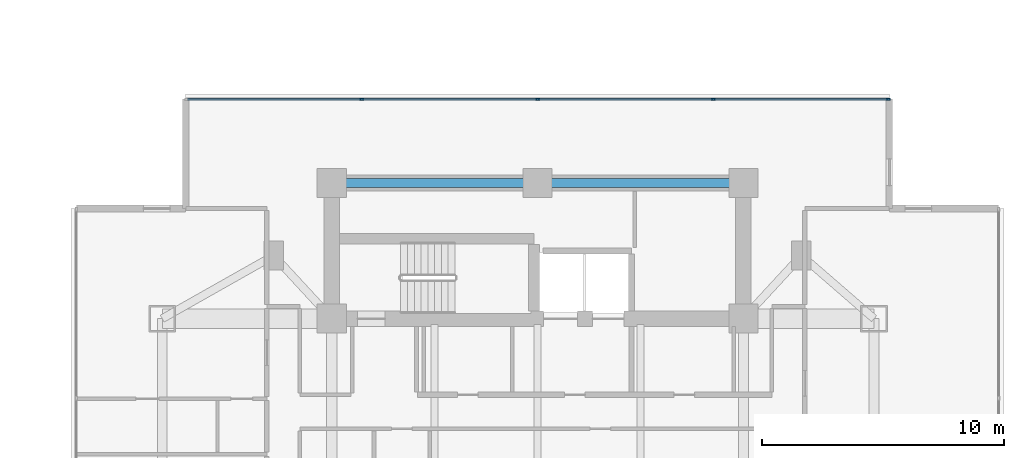
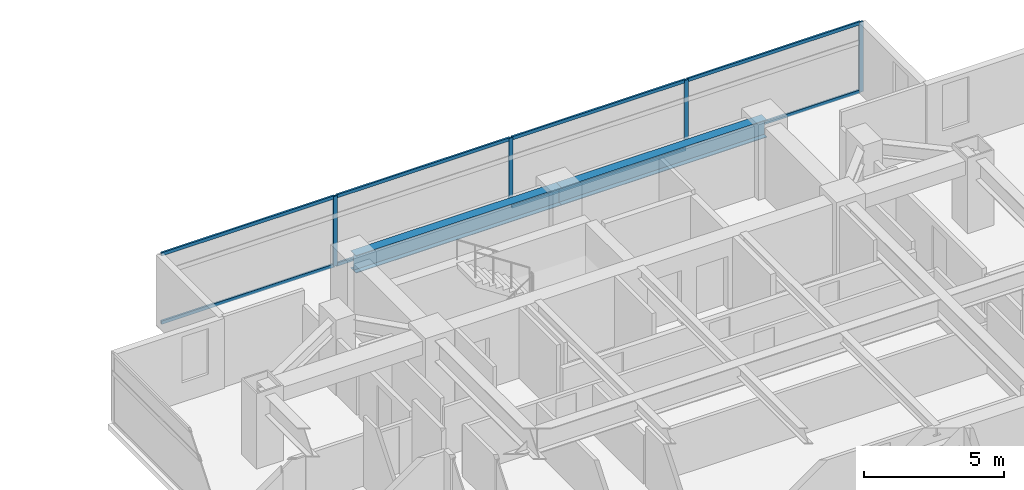
# One storey, part 12 of 26: 12 members, 2 beams, 1 element without a shape of its own.
"""IFC4 building model written with IfcOpenShell, lengths in metres."""

from ifc_helpers import new_model, si_unit, direction, frame, origin, origin_2d, place, context, subcontext, project, spatial, rectangle, i_section, extrude, material, material_profile, profile_set, type_object, element, aggregate, save


model = new_model("IFC4")

# Units and contexts
model_context = context("Model", 3, precision=1e-05, world=origin(), true_north=direction((0.0, 1.0)))
body_context = subcontext(model_context, "Body", "Model", "MODEL_VIEW")
ifc_project = project(units=[si_unit("LENGTHUNIT", "METRE"), si_unit("AREAUNIT", "SQUARE_METRE"), si_unit("VOLUMEUNIT", "CUBIC_METRE"), si_unit("PLANEANGLEUNIT", "RADIAN"), si_unit("MASSUNIT", "GRAM", prefix="KILO")], contexts=[model_context])

# Site, building, storey
site_placement = place(None, origin())
site = spatial("IfcSite", under=ifc_project, at=site_placement, CompositionType="ELEMENT")
building_placement = place(site_placement, origin())
building = spatial("IfcBuilding", under=site, at=building_placement, Name="Mirazonda Arch Towers", CompositionType="ELEMENT")
storey_placement = place(building_placement, frame((0.0, 0.0, 114.800048828125)))
storey = spatial("IfcBuildingStorey", under=building, at=storey_placement, Name="L32", CompositionType="ELEMENT", Elevation=114.800048828125)

# Beams
ifc_material_1 = material(Name="Steel ASTM A992 Grade 50", Category="steel")
ifc_material_profile_1 = material_profile(ifc_material_1, i_section(OverallWidth=0.381103515625, OverallDepth=0.77294921875, WebThickness=0.0166015625, FlangeThickness=0.027099609375, at=origin_2d()), Name="W30X173")
ifc_profile_set_1 = profile_set([ifc_material_profile_1], Name="Steel ASTM A992 Grade 50")
beam_type = type_object("IfcBeamType", Name="BM-INT-W30X173", PredefinedType="USERDEFINED", material=ifc_profile_set_1)
for number, where, z_axis, x_axis, name in (
    (1, (68.0, 40.800048828125, 2.693359375), (1.0, 0.0, 0.0), (0.0, 1.0, 0.0), "L32 Floor Beam BM-T2-L32-CN1"),
    (2, (76.5, 40.800048828125, 2.693359375), (1.0, 0.0, 0.0), (0.0, 1.0, 0.0), "L32 Floor Beam BM-T2-L32-CN2"),
):
    element("IfcBeam", number, at=place(storey_placement, frame(where, z_axis=z_axis, x_axis=x_axis)), inside=storey, type_object=beam_type, Name=name, ObjectType="GIRDER", PredefinedType="USERDEFINED", context=body_context, shape_type="SweptSolid", body=[
        extrude(i_section(OverallWidth=0.381103515625, OverallDepth=0.77294921875, WebThickness=0.0166015625, FlangeThickness=0.027099609375, at=origin_2d()), origin(), (0.0, 0.0, 1.0), 8.5),
    ])

# Curtain wall, members
ifc_material_2 = material(Name="Anodised Aluminium and Low-E Glass", Category="aluminium")
curtain_wall_type = type_object("IfcCurtainWallType", Name="CW-HTL-UNIT", PredefinedType="NOTDEFINED", material=ifc_material_2)
curtain_wall_placement = place(storey_placement, origin())
curtain_wall = element("IfcCurtainWall", 3, at=curtain_wall_placement, inside=storey, type_object=curtain_wall_type, Name="L32 T2 N Facade CW-L32-T2-N", PredefinedType="NOTDEFINED")
ifc_material_3 = material(Name="Anodised Aluminium Alloy", Category="aluminium")
ifc_material_profile_2 = material_profile(ifc_material_3, rectangle(XDim=0.074951171875, YDim=0.1650390625, at=origin_2d()), Name="ALU-MULL-75x165")
ifc_profile_set_2 = profile_set([ifc_material_profile_2], Name="Anodised Aluminium Alloy")
member_type_1 = type_object("IfcMemberType", Name="MULL-CW-HTL-UNIT", PredefinedType="MULLION", material=ifc_profile_set_2)
member_1_placement = place(storey_placement, frame((69.23486328125, 44.263916015625, 0.0), z_axis=(0.0, 0.0, 1.0), x_axis=(0.0, 1.0, 0.0)))
member_1 = element("IfcMember", 4, at=member_1_placement, type_object=member_type_1, Name="CW-112 mullion 2", PredefinedType="MULLION", context=body_context, shape_type="SweptSolid", body=[
    extrude(rectangle(XDim=0.074951171875, YDim=0.1650390625, at=origin_2d()), origin(), (0.0, 0.0, 1.0), 3.06005859375),
])
member_2_placement = place(storey_placement, frame((76.5, 44.263916015625, 0.0), z_axis=(0.0, 0.0, 1.0), x_axis=(0.0, 1.0, 0.0)))
member_2 = element("IfcMember", 5, at=member_2_placement, type_object=member_type_1, Name="CW-112 mullion 3", PredefinedType="MULLION", context=body_context, shape_type="SweptSolid", body=[
    extrude(rectangle(XDim=0.074951171875, YDim=0.1650390625, at=origin_2d()), origin(), (0.0, 0.0, 1.0), 3.06005859375),
])
member_3_placement = place(storey_placement, frame((83.76513671875, 44.263916015625, 0.0), z_axis=(0.0, 0.0, 1.0), x_axis=(0.0, 1.0, 0.0)))
member_3 = element("IfcMember", 6, at=member_3_placement, type_object=member_type_1, Name="CW-112 mullion 4", PredefinedType="MULLION", context=body_context, shape_type="SweptSolid", body=[
    extrude(rectangle(XDim=0.074951171875, YDim=0.1650390625, at=origin_2d()), origin(), (0.0, 0.0, 1.0), 3.06005859375),
])
member_4_placement = place(storey_placement, frame((90.99267578125, 44.263916015625, 0.0), z_axis=(0.0, 0.0, 1.0), x_axis=(0.0, 1.0, 0.0)))
member_4 = element("IfcMember", 7, at=member_4_placement, type_object=member_type_1, Name="CW-112 mullion 5", PredefinedType="MULLION", context=body_context, shape_type="SweptSolid", body=[
    extrude(rectangle(XDim=0.074951171875, YDim=0.1650390625, at=origin_2d()), origin(), (0.0, 0.0, 1.0), 3.06005859375),
])
ifc_material_profile_3 = material_profile(ifc_material_3, rectangle(XDim=0.074951171875, YDim=0.14501953125, at=origin_2d()), Name="ALU-TRAN-75x145")
ifc_profile_set_3 = profile_set([ifc_material_profile_3], Name="Anodised Aluminium Alloy")
member_type_2 = type_object("IfcMemberType", Name="TRAN-CW-HTL-UNIT", PredefinedType="USERDEFINED", material=ifc_profile_set_3)
member_5_placement = place(storey_placement, frame((62.044921875, 44.263916015625, 0.037353515625), z_axis=(1.0, 0.0, 0.0), x_axis=(0.0, 1.0, 0.0)))
member_5 = element("IfcMember", 8, at=member_5_placement, type_object=member_type_2, Name="CW-112 transom 1.1", ObjectType="TRANSOM", PredefinedType="USERDEFINED", context=body_context, shape_type="SweptSolid", body=[
    extrude(rectangle(XDim=0.074951171875, YDim=0.14501953125, at=origin_2d()), origin(), (0.0, 0.0, 1.0), 7.152587890625),
])
member_6_placement = place(storey_placement, frame((62.044921875, 44.263916015625, 3.0224609375), z_axis=(1.0, 0.0, 0.0), x_axis=(0.0, 1.0, 0.0)))
member_6 = element("IfcMember", 9, at=member_6_placement, type_object=member_type_2, Name="CW-112 transom 1.2", ObjectType="TRANSOM", PredefinedType="USERDEFINED", context=body_context, shape_type="SweptSolid", body=[
    extrude(rectangle(XDim=0.074951171875, YDim=0.14501953125, at=origin_2d()), origin(), (0.0, 0.0, 1.0), 7.152587890625),
])
member_7_placement = place(storey_placement, frame((69.2724609375, 44.263916015625, 0.037353515625), z_axis=(1.0, 0.0, 0.0), x_axis=(0.0, 1.0, 0.0)))
member_7 = element("IfcMember", 10, at=member_7_placement, type_object=member_type_2, Name="CW-112 transom 2.1", ObjectType="TRANSOM", PredefinedType="USERDEFINED", context=body_context, shape_type="SweptSolid", body=[
    extrude(rectangle(XDim=0.074951171875, YDim=0.14501953125, at=origin_2d()), origin(), (0.0, 0.0, 1.0), 7.18994140625),
])
member_8_placement = place(storey_placement, frame((69.2724609375, 44.263916015625, 3.0224609375), z_axis=(1.0, 0.0, 0.0), x_axis=(0.0, 1.0, 0.0)))
member_8 = element("IfcMember", 11, at=member_8_placement, type_object=member_type_2, Name="CW-112 transom 2.2", ObjectType="TRANSOM", PredefinedType="USERDEFINED", context=body_context, shape_type="SweptSolid", body=[
    extrude(rectangle(XDim=0.074951171875, YDim=0.14501953125, at=origin_2d()), origin(), (0.0, 0.0, 1.0), 7.18994140625),
])
member_9_placement = place(storey_placement, frame((76.53759765625, 44.263916015625, 0.037353515625), z_axis=(1.0, 0.0, 0.0), x_axis=(0.0, 1.0, 0.0)))
member_9 = element("IfcMember", 12, at=member_9_placement, type_object=member_type_2, Name="CW-112 transom 3.1", ObjectType="TRANSOM", PredefinedType="USERDEFINED", context=body_context, shape_type="SweptSolid", body=[
    extrude(rectangle(XDim=0.074951171875, YDim=0.14501953125, at=origin_2d()), origin(), (0.0, 0.0, 1.0), 7.18994140625),
])
member_10_placement = place(storey_placement, frame((76.53759765625, 44.263916015625, 3.0224609375), z_axis=(1.0, 0.0, 0.0), x_axis=(0.0, 1.0, 0.0)))
member_10 = element("IfcMember", 13, at=member_10_placement, type_object=member_type_2, Name="CW-112 transom 3.2", ObjectType="TRANSOM", PredefinedType="USERDEFINED", context=body_context, shape_type="SweptSolid", body=[
    extrude(rectangle(XDim=0.074951171875, YDim=0.14501953125, at=origin_2d()), origin(), (0.0, 0.0, 1.0), 7.18994140625),
])
member_11_placement = place(storey_placement, frame((83.802490234375, 44.263916015625, 0.037353515625), z_axis=(1.0, 0.0, 0.0), x_axis=(0.0, 1.0, 0.0)))
member_11 = element("IfcMember", 14, at=member_11_placement, type_object=member_type_2, Name="CW-112 transom 4.1", ObjectType="TRANSOM", PredefinedType="USERDEFINED", context=body_context, shape_type="SweptSolid", body=[
    extrude(rectangle(XDim=0.074951171875, YDim=0.14501953125, at=origin_2d()), origin(), (0.0, 0.0, 1.0), 7.152587890625),
])
member_12_placement = place(storey_placement, frame((83.802490234375, 44.263916015625, 3.0224609375), z_axis=(1.0, 0.0, 0.0), x_axis=(0.0, 1.0, 0.0)))
member_12 = element("IfcMember", 15, at=member_12_placement, type_object=member_type_2, Name="CW-112 transom 4.2", ObjectType="TRANSOM", PredefinedType="USERDEFINED", context=body_context, shape_type="SweptSolid", body=[
    extrude(rectangle(XDim=0.074951171875, YDim=0.14501953125, at=origin_2d()), origin(), (0.0, 0.0, 1.0), 7.152587890625),
])
aggregate(curtain_wall, [member_1, member_2, member_3, member_4, member_5, member_6, member_7, member_8, member_9, member_10, member_11, member_12])

save(model, "model.ifc")
